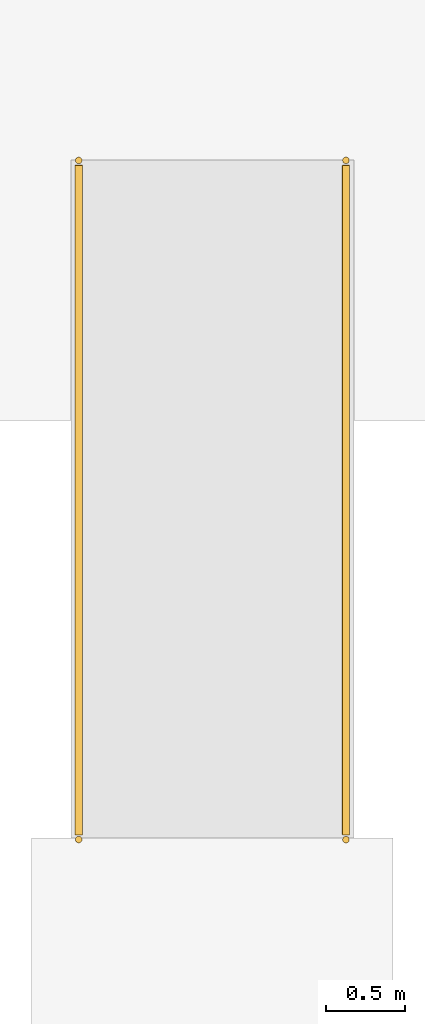
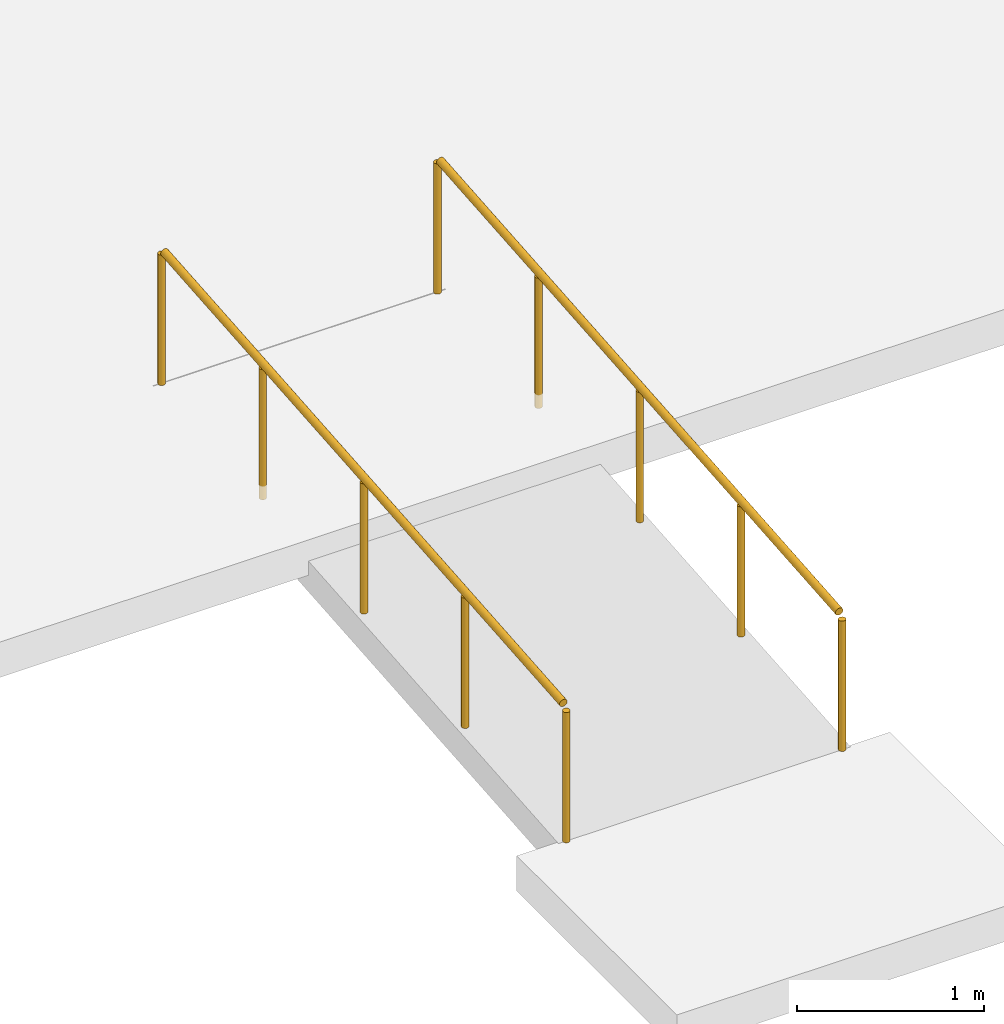
# One storey, part 112 of 132: 2 railings.
"""IFC4 building model written with IfcOpenShell, lengths in metres."""

import ifcopenshell
import ifcopenshell.guid

model = None  # the IFC model being written
_history = None  # IfcOwnerHistory: only IFC2X3 demands one
_inside = {}  # id of a spatial element -> (the spatial element, [elements in it])
_under = {}  # id of a project, library or spatial element -> (it, [spatial elements below it])
_declared = {}  # id of a project -> (the project, [libraries it declares])
_typed = {}  # id of a type object -> (the type object, [elements of that type])
_made_of = {}  # id of a material, layer set ... -> (it, [elements and type objects made of it])


def new_model(schema):
    """Start an empty IFC model of exactly this schema.

    Asked for "IFC4X3", IfcOpenShell would pick the latest addendum, in which some entities
    have other attributes; the version numbers below select the first issue.
    IFC2X3 requires an IfcOwnerHistory on every rooted entity: one is made here for all.
    """
    global model, _history
    if schema == "IFC4X3":
        model = ifcopenshell.file(schema_version=(4, 3, 0, 0))
    else:
        model = ifcopenshell.file(schema=schema)
    _inside.clear()
    _under.clear()
    _declared.clear()
    _typed.clear()
    _made_of.clear()
    _history = None
    if model.schema == "IFC2X3":
        org = make("IfcOrganization", Name="unknown")
        user = make(
            "IfcPersonAndOrganization",
            ThePerson=make("IfcPerson", FamilyName="unknown"),
            TheOrganization=org,
        )
        app = make(
            "IfcApplication",
            ApplicationDeveloper=org,
            Version="unknown",
            ApplicationFullName="unknown",
            ApplicationIdentifier="unknown",
        )
        _history = make(
            "IfcOwnerHistory",
            OwningUser=user,
            OwningApplication=app,
            ChangeAction="ADDED",
            CreationDate=0,
        )
    return model


def make(cls, **values):
    """One entity of the class cls with the attributes given. An attribute that is None is left unset."""
    return model.create_entity(
        cls, **{name: value for name, value in values.items() if value is not None}
    )


def rooted(cls, **values):
    """An entity with a GlobalId (a new one), such as an element, a storey or a relation."""
    return make(cls, GlobalId=ifcopenshell.guid.new(), OwnerHistory=_history, **values)


def si_unit(unit_type, name, prefix=None):
    """IfcSIUnit, for example si_unit("LENGTHUNIT", "METRE", prefix="MILLI")."""
    return make("IfcSIUnit", UnitType=unit_type, Prefix=prefix, Name=name)


def assignment(units):
    """IfcUnitAssignment: the units of a project."""
    return None if units is None else make("IfcUnitAssignment", Units=units)


def point(xyz):
    """IfcCartesianPoint."""
    return None if xyz is None else make("IfcCartesianPoint", Coordinates=xyz)


def direction(xyz):
    """IfcDirection."""
    return None if xyz is None else make("IfcDirection", DirectionRatios=xyz)


def frame(location, z_axis=None, x_axis=None):
    """IfcAxis2Placement3D, a coordinate frame: its origin and axes. An axis left out is left unset."""
    return make(
        "IfcAxis2Placement3D",
        Location=point(location),
        Axis=direction(z_axis),
        RefDirection=direction(x_axis),
    )


def frame_2d(location, x_axis=None):
    """IfcAxis2Placement2D, a coordinate frame in the plane: its origin and x axis."""
    return make(
        "IfcAxis2Placement2D", Location=point(location), RefDirection=direction(x_axis)
    )


def origin():
    """The frame at (0, 0, 0) with its axes left unset."""
    return frame((0.0, 0.0, 0.0))


def origin_2d():
    """The frame at (0, 0) in the plane with its x axis left unset."""
    return frame_2d((0.0, 0.0))


def place(relative_to, where):
    """IfcLocalPlacement: puts the frame where relative to a parent placement (None: the world)."""
    return make(
        "IfcLocalPlacement", PlacementRelTo=relative_to, RelativePlacement=where
    )


def context(
    kind, dimensions, precision=None, world=None, true_north=None, identifier=None
):
    """IfcGeometricRepresentationContext, for example the 3D "Model" context."""
    return make(
        "IfcGeometricRepresentationContext",
        ContextIdentifier=identifier,
        ContextType=kind,
        CoordinateSpaceDimension=dimensions,
        Precision=precision,
        WorldCoordinateSystem=world,
        TrueNorth=true_north,
    )


def subcontext(parent, identifier, kind, view, scale=None):
    """IfcGeometricRepresentationSubContext, for example "Body" below "Model"."""
    return make(
        "IfcGeometricRepresentationSubContext",
        ContextIdentifier=identifier,
        ContextType=kind,
        ParentContext=parent,
        TargetScale=scale,
        TargetView=view,
    )


def project(units=None, contexts=None):
    """IfcProject with its units and contexts."""
    return rooted(
        "IfcProject",
        Name="project",
        RepresentationContexts=contexts,
        UnitsInContext=assignment(units),
    )


def spatial(cls, under=None, at=None, **own):
    """A site, building, storey or space (cls), placed at a placement, below another one or the project."""
    s = rooted(cls, ObjectPlacement=at, **own)
    if under is not None:
        _under.setdefault(under.id(), (under, []))[1].append(s)
    return s


def profile(cls, at=None, kind="AREA", **sizes):
    """A parametric profile (cls). Its sizes go by their IFC names, for example OverallWidth=200.0."""
    return make(cls, ProfileType=kind, Position=at, **sizes)


def circle(**sizes):
    """IfcCircleProfileDef."""
    return profile("IfcCircleProfileDef", **sizes)


def extrude(swept, where, along, depth):
    """IfcExtrudedAreaSolid: the profile swept, set in the frame where, extruded along a direction by depth."""
    return make(
        "IfcExtrudedAreaSolid",
        SweptArea=swept,
        Position=where,
        ExtrudedDirection=direction(along),
        Depth=depth,
    )


def shape(context_of_items, identifier, shape_type, items):
    """IfcShapeRepresentation: the items that make up one representation, for example the "Body"."""
    return make(
        "IfcShapeRepresentation",
        ContextOfItems=context_of_items,
        RepresentationIdentifier=identifier,
        RepresentationType=shape_type,
        Items=items,
    )


def material(Name=None, Category=None):
    """IfcMaterial."""
    return make("IfcMaterial", Name=Name, Category=Category)


def made_of(thing, what):
    """Note that an element or type object is made of a material, layer set ...; save() writes the relation."""
    if what is not None:
        _made_of.setdefault(what.id(), (what, []))[1].append(thing)
    return thing


def type_object(cls, material=None, **own):
    """A type object (cls), such as IfcWallType, which elements share."""
    return made_of(rooted(cls, **own), material)


def element(
    cls,
    number,
    at=None,
    inside=None,
    cuts=None,
    type_object=None,
    material=None,
    context=None,
    identifier="Body",
    shape_type=None,
    held_by="IfcProductDefinitionShape",
    body=None,
    shapes=None,
    **own,
):
    """One element of the class cls, such as IfcWall. Its Tag is "e" and its number.

    at: its placement. inside: the storey or other place that contains it. cuts: it is an
    opening in that element (IfcRelVoidsElement). A single representation is given by context,
    identifier, shape_type and body (its items); several are given by shapes. held_by: the class
    of the entity that holds the representations. save() writes the other relations.
    """
    e = rooted(cls, Tag="e%d" % number, ObjectPlacement=at, **own)
    if body is not None:
        shapes = [shape(context, identifier, shape_type, body)]
    if shapes is not None:
        e.Representation = make(held_by, Representations=shapes)
    if inside is not None:
        _inside.setdefault(inside.id(), (inside, []))[1].append(e)
    if cuts is not None:
        rooted(
            "IfcRelVoidsElement", RelatingBuildingElement=cuts, RelatedOpeningElement=e
        )
    if type_object is not None:
        _typed.setdefault(type_object.id(), (type_object, []))[1].append(e)
    return made_of(e, material)


def aggregate(whole, parts):
    """IfcRelAggregates: a whole, such as a stair, and the parts it consists of."""
    return rooted("IfcRelAggregates", RelatingObject=whole, RelatedObjects=parts)


def save(model, path):
    """Write the relations noted so far, then the file.

    IfcRelAggregates (storeys below a building ...), IfcRelContainedInSpatialStructure (elements
    in a storey), IfcRelDefinesByType, IfcRelAssociatesMaterial and IfcRelDeclares: one each for
    every whole, place, type object, material and project.
    """
    for whole, parts in _under.values():
        aggregate(whole, parts)
    for where, things in _inside.values():
        rooted(
            "IfcRelContainedInSpatialStructure",
            RelatedElements=things,
            RelatingStructure=where,
        )
    for kind, things in _typed.values():
        rooted("IfcRelDefinesByType", RelatedObjects=things, RelatingType=kind)
    for what, things in _made_of.values():
        rooted("IfcRelAssociatesMaterial", RelatedObjects=things, RelatingMaterial=what)
    for by, libraries in _declared.values():
        rooted("IfcRelDeclares", RelatingContext=by, RelatedDefinitions=libraries)
    model.write(path)


model = new_model("IFC4")

# Units and contexts
model_context = context("Model", 3, precision=1e-05, world=origin(), true_north=direction((0.0, 1.0)))
body_context = subcontext(model_context, "Body", "Model", "MODEL_VIEW")
ifc_project = project(units=[si_unit("LENGTHUNIT", "METRE"), si_unit("AREAUNIT", "SQUARE_METRE"), si_unit("VOLUMEUNIT", "CUBIC_METRE"), si_unit("PLANEANGLEUNIT", "RADIAN"), si_unit("MASSUNIT", "GRAM", prefix="KILO")], contexts=[model_context])

# Site, building, storey
site_placement = place(None, origin())
site = spatial("IfcSite", under=ifc_project, at=site_placement, CompositionType="ELEMENT")
building_placement = place(site_placement, origin())
building = spatial("IfcBuilding", under=site, at=building_placement, Name="Tanwirah Colonnade Gardens", CompositionType="ELEMENT")
storey_placement = place(building_placement, origin())
storey = spatial("IfcBuildingStorey", under=building, at=storey_placement, Name="L00", CompositionType="ELEMENT", Elevation=0.0)

# Railings
ifc_material = material(Name="Brushed bronze stainless steel", Category="steel")
railing_type = type_object("IfcRailingType", Name="HR-ST090", PredefinedType="HANDRAIL", material=ifc_material)
for number, where, name in (
    (1, (63.050048828125, 3.179931640625, -0.360107421875), "Accessible Ramp PED-W Handrail L"),
    (2, (64.75, 3.179931640625, -0.360107421875), "Accessible Ramp PED-W Handrail R"),
):
    element("IfcRailing", number, at=place(storey_placement, frame(where)), inside=storey, type_object=railing_type, Name=name, PredefinedType="HANDRAIL", context=body_context, shape_type="SweptSolid", body=[
        extrude(circle(Radius=0.02392578125, at=origin_2d()), frame((0.0, 0.03125, 0.87841796875), z_axis=(0.0, 0.996543815979, 0.083068783756), x_axis=(-1.0, 0.0, 0.0)), (0.0, 0.0, 1.0), 4.2724609375),
        extrude(circle(Radius=0.02099609375, at=origin_2d()), origin(), (0.0, 0.0, 1.0), 0.848876953125),
        extrude(circle(Radius=0.02099609375, at=origin_2d()), frame((0.0, 1.080078125, 0.090087890625)), (0.0, 0.0, 1.0), 0.848876953125),
        extrude(circle(Radius=0.02099609375, at=origin_2d()), frame((0.0, 2.16015625, 0.18017578125)), (0.0, 0.0, 1.0), 0.848876953125),
        extrude(circle(Radius=0.02099609375, at=origin_2d()), frame((0.0, 3.239990234375, 0.27001953125)), (0.0, 0.0, 1.0), 0.848876953125),
        extrude(circle(Radius=0.02099609375, at=origin_2d()), frame((0.0, 4.320068359375, 0.360107421875)), (0.0, 0.0, 1.0), 0.848876953125),
    ])

save(model, "model.ifc")
